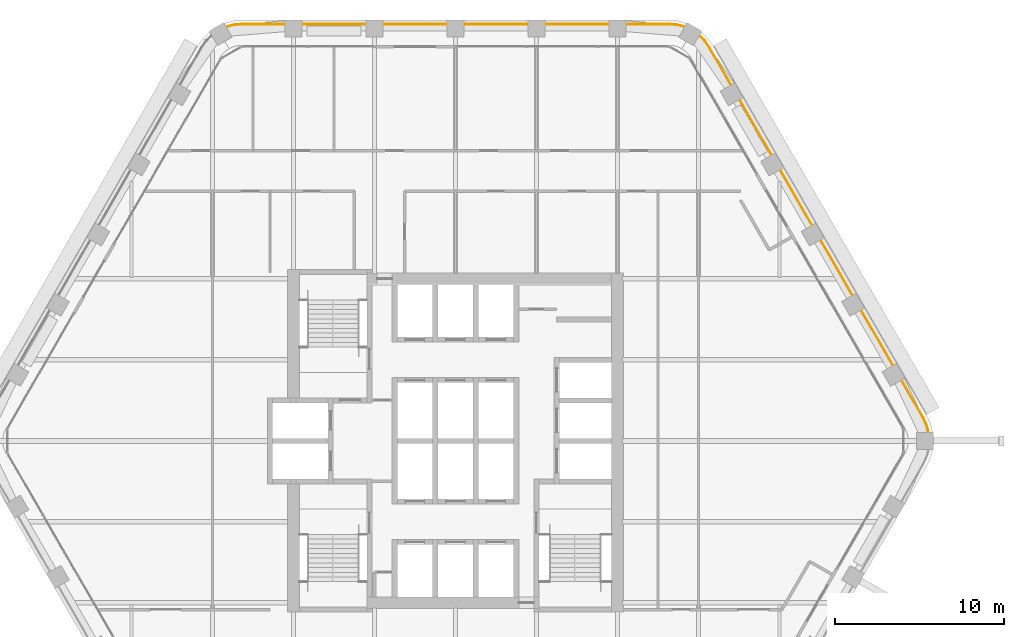
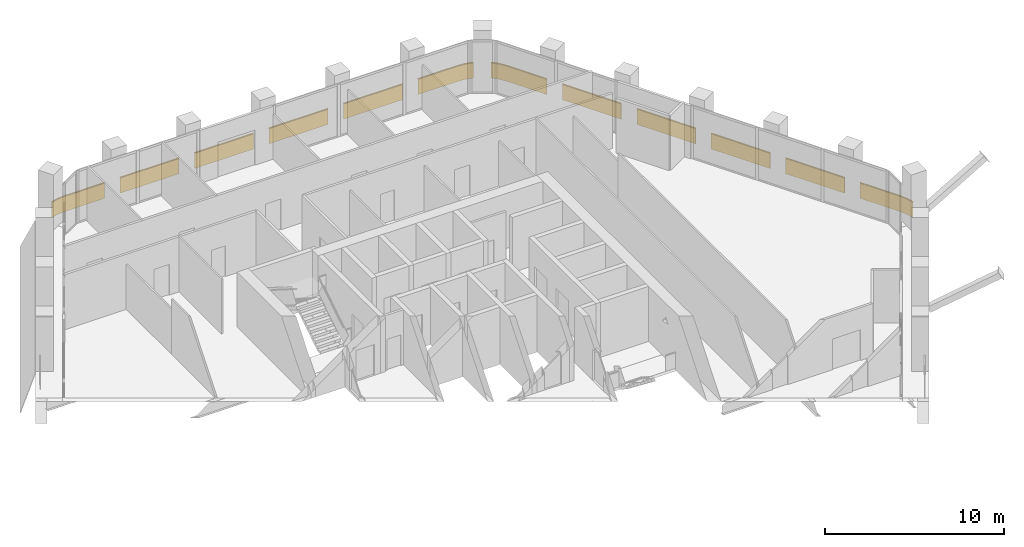
# One storey, part 16 of 16: 2 railings.
"""IFC4 building model written with IfcOpenShell, lengths in metres."""

from ifc_helpers import new_model, si_unit, direction, frame, frame_2d, origin, origin_2d, place, context, subcontext, project, spatial, rectangle, extrude, material, type_object, element, save


model = new_model("IFC4")

# Units and contexts
model_context = context("Model", 3, precision=1e-05, world=origin(), true_north=direction((0.0, 1.0)))
body_context = subcontext(model_context, "Body", "Model", "MODEL_VIEW")
ifc_project = project(units=[si_unit("LENGTHUNIT", "METRE"), si_unit("AREAUNIT", "SQUARE_METRE"), si_unit("VOLUMEUNIT", "CUBIC_METRE"), si_unit("PLANEANGLEUNIT", "RADIAN"), si_unit("MASSUNIT", "GRAM", prefix="KILO")], contexts=[model_context])

# Site, building, storey
site_placement = place(None, origin())
site = spatial("IfcSite", under=ifc_project, at=site_placement, CompositionType="ELEMENT")
building_placement = place(site_placement, origin())
building = spatial("IfcBuilding", under=site, at=building_placement, Name="Kolab Exchange Tower", CompositionType="ELEMENT")
storey_placement = place(building_placement, frame((0.0, 0.0, 193.39990234375)))
storey = spatial("IfcBuildingStorey", under=building, at=storey_placement, Name="L41", CompositionType="ELEMENT", Elevation=193.39990234375)

# Railings
ifc_material = material(Name="Steel S235", Category="steel")
railing_type = type_object("IfcRailingType", Name="GUARD 1100 GLASS BALUSTRADE AND STEEL TOP RAIL", PredefinedType="GUARDRAIL", material=ifc_material)
railing_1_placement = place(storey_placement, frame((13.588623046875, 24.531005859375, 0.0)))
element("IfcRailing", 1, at=railing_1_placement, inside=storey, type_object=railing_type, Name="Guard", PredefinedType="GUARDRAIL", context=body_context, shape_type="SweptSolid", body=[
    extrude(rectangle(XDim=0.05, YDim=0.05, at=origin_2d()), frame((0.0, 0.0, 1.0751953125), z_axis=(-0.965969425465, 0.25865627591, 0.0), x_axis=(-0.25865627591, -0.965969425465, 0.0)), (0.0, 0.0, 1.0), 0.458740234375),
    extrude(rectangle(XDim=0.012, YDim=1.05009765625, at=frame_2d((0.0, 0.525146484375))), frame((0.0, 0.0, 0.0), z_axis=(-0.965969425465, 0.25865627591, 0.0), x_axis=(-0.25865627591, -0.965969425465, 0.0)), (0.0, 0.0, 1.0), 0.458740234375),
    extrude(rectangle(XDim=0.05, YDim=0.05, at=origin_2d()), frame((-0.443115234375, 0.11865234375, 1.0751953125), z_axis=(-0.996156034798, 0.087596542937, 0.0), x_axis=(-0.087596542937, -0.996156034798, 0.0)), (0.0, 0.0, 1.0), 0.4794921875),
    extrude(rectangle(XDim=0.012, YDim=1.05009765625, at=frame_2d((0.0, 0.525146484375))), frame((-0.443115234375, 0.11865234375, 0.0), z_axis=(-0.996156034798, 0.087596542937, 0.0), x_axis=(-0.087596542937, -0.996156034798, 0.0)), (0.0, 0.0, 1.0), 0.4794921875),
    extrude(rectangle(XDim=0.05, YDim=0.05, at=origin_2d()), frame((-0.920654296875, 0.16064453125, 1.0751953125), z_axis=(-1.0, 0.0, 0.0), x_axis=(0.0, -1.0, 0.0)), (0.0, 0.0, 1.0), 2.56787109375),
    extrude(rectangle(XDim=0.012, YDim=1.05009765625, at=frame_2d((0.0, 0.525146484375))), frame((-0.920654296875, 0.16064453125, 0.0), z_axis=(-1.0, 0.0, 0.0), x_axis=(0.0, -1.0, 0.0)), (0.0, 0.0, 1.0), 2.56787109375),
    extrude(rectangle(XDim=0.05, YDim=0.05, at=origin_2d()), frame((-4.488525390625, 0.16064453125, 1.0751953125), z_axis=(-1.0, 0.0, 0.0), x_axis=(0.0, -1.0, 0.0)), (0.0, 0.0, 1.0), 3.800048828125),
    extrude(rectangle(XDim=0.012, YDim=1.05009765625, at=frame_2d((0.0, 0.525146484375))), frame((-4.488525390625, 0.16064453125, 0.0), z_axis=(-1.0, 0.0, 0.0), x_axis=(0.0, -1.0, 0.0)), (0.0, 0.0, 1.0), 3.800048828125),
    extrude(rectangle(XDim=0.05, YDim=0.05, at=origin_2d()), frame((-9.28857421875, 0.16064453125, 1.0751953125), z_axis=(-1.0, 0.0, 0.0), x_axis=(0.0, -1.0, 0.0)), (0.0, 0.0, 1.0), 3.800048828125),
    extrude(rectangle(XDim=0.012, YDim=1.05009765625, at=frame_2d((0.0, 0.525146484375))), frame((-9.28857421875, 0.16064453125, 0.0), z_axis=(-1.0, 0.0, 0.0), x_axis=(0.0, -1.0, 0.0)), (0.0, 0.0, 1.0), 3.800048828125),
    extrude(rectangle(XDim=0.05, YDim=0.05, at=origin_2d()), frame((-14.088623046875, 0.16064453125, 1.0751953125), z_axis=(-1.0, 0.0, 0.0), x_axis=(0.0, -1.0, 0.0)), (0.0, 0.0, 1.0), 3.800048828125),
    extrude(rectangle(XDim=0.012, YDim=1.05009765625, at=frame_2d((0.0, 0.525146484375))), frame((-14.088623046875, 0.16064453125, 0.0), z_axis=(-1.0, 0.0, 0.0), x_axis=(0.0, -1.0, 0.0)), (0.0, 0.0, 1.0), 3.800048828125),
    extrude(rectangle(XDim=0.05, YDim=0.05, at=origin_2d()), frame((-18.888671875, 0.16064453125, 1.0751953125), z_axis=(-1.0, 0.0, 0.0), x_axis=(0.0, -1.0, 0.0)), (0.0, 0.0, 1.0), 3.800048828125),
    extrude(rectangle(XDim=0.012, YDim=1.05009765625, at=frame_2d((0.0, 0.525146484375))), frame((-18.888671875, 0.16064453125, 0.0), z_axis=(-1.0, 0.0, 0.0), x_axis=(0.0, -1.0, 0.0)), (0.0, 0.0, 1.0), 3.800048828125),
    extrude(rectangle(XDim=0.05, YDim=0.05, at=origin_2d()), frame((-23.688720703125, 0.16064453125, 1.0751953125), z_axis=(-1.0, 0.0, 0.0), x_axis=(0.0, -1.0, 0.0)), (0.0, 0.0, 1.0), 2.56787109375),
    extrude(rectangle(XDim=0.012, YDim=1.05009765625, at=frame_2d((0.0, 0.525146484375))), frame((-23.688720703125, 0.16064453125, 0.0), z_axis=(-1.0, 0.0, 0.0), x_axis=(0.0, -1.0, 0.0)), (0.0, 0.0, 1.0), 2.56787109375),
    extrude(rectangle(XDim=0.05, YDim=0.05, at=origin_2d()), frame((-26.256591796875, 0.16064453125, 1.0751953125), z_axis=(-0.996156034798, -0.087596542937, 0.0), x_axis=(0.087596542937, -0.996156034798, 0.0)), (0.0, 0.0, 1.0), 0.4794921875),
    extrude(rectangle(XDim=0.012, YDim=1.05009765625, at=frame_2d((0.0, 0.525146484375))), frame((-26.256591796875, 0.16064453125, 0.0), z_axis=(-0.996156034798, -0.087596542937, 0.0), x_axis=(0.087596542937, -0.996156034798, 0.0)), (0.0, 0.0, 1.0), 0.4794921875),
    extrude(rectangle(XDim=0.05, YDim=0.05, at=origin_2d()), frame((-26.734130859375, 0.11865234375, 1.0751953125), z_axis=(-0.965969425465, -0.25865627591, 0.0), x_axis=(0.25865627591, -0.965969425465, 0.0)), (0.0, 0.0, 1.0), 0.458740234375),
    extrude(rectangle(XDim=0.012, YDim=1.05009765625, at=frame_2d((0.0, 0.525146484375))), frame((-26.734130859375, 0.11865234375, 0.0), z_axis=(-0.965969425465, -0.25865627591, 0.0), x_axis=(0.25865627591, -0.965969425465, 0.0)), (0.0, 0.0, 1.0), 0.458740234375),
])
railing_2_placement = place(storey_placement, frame((28.038818359375, 0.49755859375, 0.0)))
element("IfcRailing", 2, at=railing_2_placement, inside=storey, type_object=railing_type, Name="Guard", PredefinedType="GUARDRAIL", context=body_context, shape_type="SweptSolid", body=[
    extrude(rectangle(XDim=0.05, YDim=0.05, at=origin_2d()), frame((0.0, 0.0, 1.0751953125), z_axis=(-0.25865627591, 0.965969425465, 0.0), x_axis=(-0.965969425465, -0.25865627591, 0.0)), (0.0, 0.0, 1.0), 0.458740234375),
    extrude(rectangle(XDim=0.012, YDim=1.05009765625, at=frame_2d((0.0, 0.525146484375))), frame((0.0, 0.0, 0.0), z_axis=(-0.25865627591, 0.965969425465, 0.0), x_axis=(-0.965969425465, -0.25865627591, 0.0)), (0.0, 0.0, 1.0), 0.458740234375),
    extrude(rectangle(XDim=0.05, YDim=0.05, at=origin_2d()), frame((-0.11865234375, 0.443115234375, 1.0751953125), z_axis=(-0.422801802984, 0.906222177721, 0.0), x_axis=(-0.906222177721, -0.422801802984, 0.0)), (0.0, 0.0, 1.0), 0.479248046875),
    extrude(rectangle(XDim=0.012, YDim=1.05009765625, at=frame_2d((0.0, 0.525146484375))), frame((-0.11865234375, 0.443115234375, 0.0), z_axis=(-0.422801802984, 0.906222177721, 0.0), x_axis=(-0.906222177721, -0.422801802984, 0.0)), (0.0, 0.0, 1.0), 0.479248046875),
    extrude(rectangle(XDim=0.05, YDim=0.05, at=origin_2d()), frame((-0.3212890625, 0.87744140625, 1.0751953125), z_axis=(-0.499994038704, 0.866028845513, 0.0), x_axis=(-0.866028845513, -0.499994038704, 0.0)), (0.0, 0.0, 1.0), 2.56787109375),
    extrude(rectangle(XDim=0.012, YDim=1.05009765625, at=frame_2d((0.0, 0.525146484375))), frame((-0.3212890625, 0.87744140625, 0.0), z_axis=(-0.499994038704, 0.866028845513, 0.0), x_axis=(-0.866028845513, -0.499994038704, 0.0)), (0.0, 0.0, 1.0), 2.56787109375),
    extrude(rectangle(XDim=0.05, YDim=0.05, at=origin_2d()), frame((-2.105224609375, 3.96728515625, 1.0751953125), z_axis=(-0.500015340139, 0.86601654697, 0.0), x_axis=(-0.86601654697, -0.500015340139, 0.0)), (0.0, 0.0, 1.0), 3.80029296875),
    extrude(rectangle(XDim=0.012, YDim=1.05009765625, at=frame_2d((0.0, 0.525146484375))), frame((-2.105224609375, 3.96728515625, 0.0), z_axis=(-0.500015340139, 0.86601654697, 0.0), x_axis=(-0.86601654697, -0.500015340139, 0.0)), (0.0, 0.0, 1.0), 3.80029296875),
    extrude(rectangle(XDim=0.05, YDim=0.05, at=origin_2d()), frame((-4.50537109375, 8.124267578125, 1.0751953125), z_axis=(-0.499967155389, 0.866044365799, 0.0), x_axis=(-0.866044365799, -0.499967155389, 0.0)), (0.0, 0.0, 1.0), 3.800048828125),
    extrude(rectangle(XDim=0.012, YDim=1.05009765625, at=frame_2d((0.0, 0.525146484375))), frame((-4.50537109375, 8.124267578125, 0.0), z_axis=(-0.499967155389, 0.866044365799, 0.0), x_axis=(-0.866044365799, -0.499967155389, 0.0)), (0.0, 0.0, 1.0), 3.800048828125),
    extrude(rectangle(XDim=0.05, YDim=0.05, at=origin_2d()), frame((-6.9052734375, 12.28125, 1.0751953125), z_axis=(-0.500043160704, 0.866000483506, 0.0), x_axis=(-0.866000483506, -0.500043160704, 0.0)), (0.0, 0.0, 1.0), 3.800048828125),
    extrude(rectangle(XDim=0.012, YDim=1.05009765625, at=frame_2d((0.0, 0.525146484375))), frame((-6.9052734375, 12.28125, 0.0), z_axis=(-0.500043160704, 0.866000483506, 0.0), x_axis=(-0.866000483506, -0.500043160704, 0.0)), (0.0, 0.0, 1.0), 3.800048828125),
    extrude(rectangle(XDim=0.05, YDim=0.05, at=origin_2d()), frame((-9.305419921875, 16.438232421875, 1.0751953125), z_axis=(-0.499994975061, 0.866028304915, 0.0), x_axis=(-0.866028304915, -0.499994975061, 0.0)), (0.0, 0.0, 1.0), 3.7998046875),
    extrude(rectangle(XDim=0.012, YDim=1.05009765625, at=frame_2d((0.0, 0.525146484375))), frame((-9.305419921875, 16.438232421875, 0.0), z_axis=(-0.499994975061, 0.866028304915, 0.0), x_axis=(-0.866028304915, -0.499994975061, 0.0)), (0.0, 0.0, 1.0), 3.7998046875),
    extrude(rectangle(XDim=0.05, YDim=0.05, at=origin_2d()), frame((-11.705322265625, 20.594970703125, 1.0751953125), z_axis=(-0.499952873616, 0.866052610505, 0.0), x_axis=(-0.866052610505, -0.499952873616, 0.0)), (0.0, 0.0, 1.0), 2.568115234375),
    extrude(rectangle(XDim=0.012, YDim=1.05009765625, at=frame_2d((0.0, 0.525146484375))), frame((-11.705322265625, 20.594970703125, 0.0), z_axis=(-0.499952873616, 0.866052610505, 0.0), x_axis=(-0.866052610505, -0.499952873616, 0.0)), (0.0, 0.0, 1.0), 2.568115234375),
    extrude(rectangle(XDim=0.05, YDim=0.05, at=origin_2d()), frame((-12.9892578125, 22.819091796875, 1.0751953125), z_axis=(-0.573599091554, 0.819136180478, 0.0), x_axis=(-0.819136180478, -0.573599091554, 0.0)), (0.0, 0.0, 1.0), 0.479248046875),
    extrude(rectangle(XDim=0.012, YDim=1.05009765625, at=frame_2d((0.0, 0.525146484375))), frame((-12.9892578125, 22.819091796875, 0.0), z_axis=(-0.573599091554, 0.819136180478, 0.0), x_axis=(-0.819136180478, -0.573599091554, 0.0)), (0.0, 0.0, 1.0), 0.479248046875),
    extrude(rectangle(XDim=0.05, YDim=0.05, at=origin_2d()), frame((-13.26416015625, 23.211669921875, 1.0751953125), z_axis=(-0.70737286085, 0.706840601361, 0.0), x_axis=(-0.706840601361, -0.70737286085, 0.0)), (0.0, 0.0, 1.0), 0.458740234375),
    extrude(rectangle(XDim=0.012, YDim=1.05009765625, at=frame_2d((0.0, 0.525146484375))), frame((-13.26416015625, 23.211669921875, 0.0), z_axis=(-0.70737286085, 0.706840601361, 0.0), x_axis=(-0.706840601361, -0.70737286085, 0.0)), (0.0, 0.0, 1.0), 0.458740234375),
])

save(model, "model.ifc")
